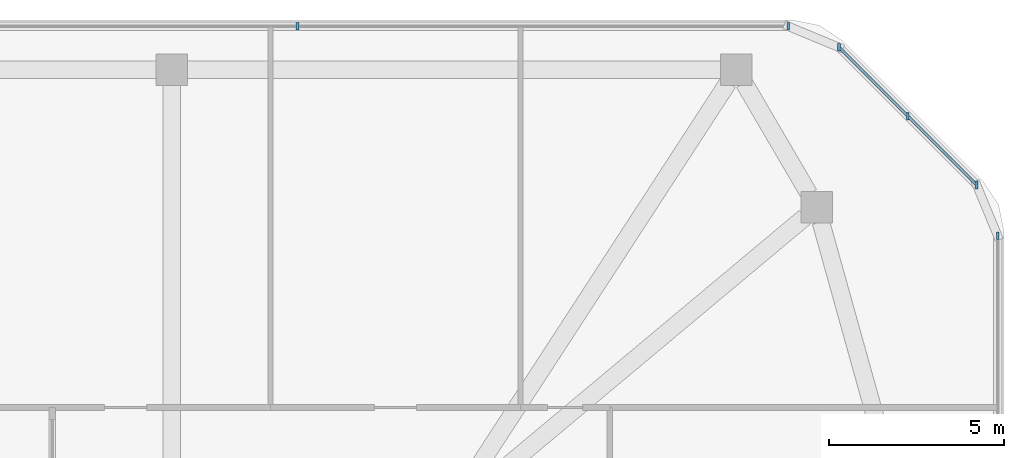
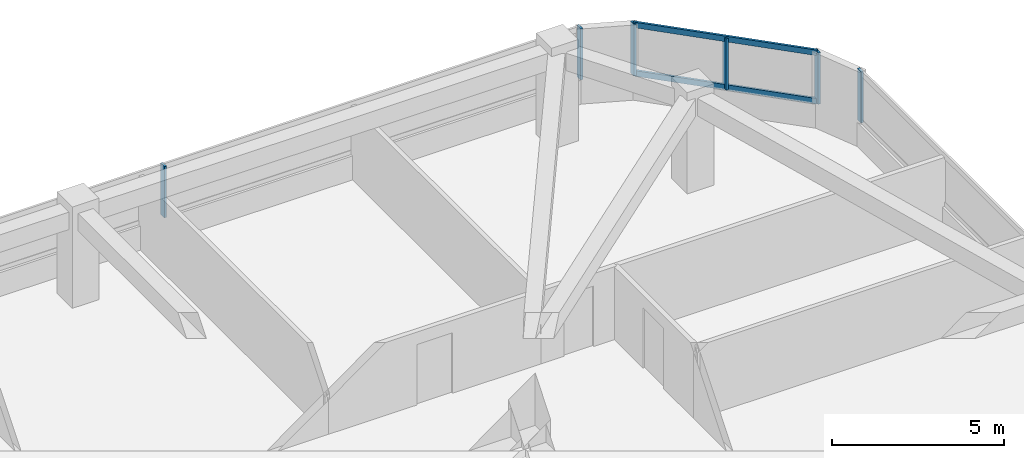
# One storey, part 6 of 13: 8 members, 3 elements without a shape of their own.
"""IFC4 building model written with IfcOpenShell, lengths in metres."""

from ifc_helpers import new_model, si_unit, derived_unit, direction, frame, origin, origin_2d, place, context, subcontext, project, spatial, rectangle, extrude, material, material_profile, profile_set, type_object, element, aggregate, save


model = new_model("IFC4")

# Units and contexts
model_context = context("Model", 3, precision=1e-05, world=origin(), true_north=direction((0.0, 1.0)))
body_context = subcontext(model_context, "Body", "Model", "MODEL_VIEW")
ifc_project = project(units=[si_unit("LENGTHUNIT", "METRE"), si_unit("AREAUNIT", "SQUARE_METRE"), si_unit("VOLUMEUNIT", "CUBIC_METRE"), si_unit("PLANEANGLEUNIT", "RADIAN"), si_unit("MASSUNIT", "GRAM", prefix="KILO"), derived_unit("THERMALTRANSMITTANCEUNIT", [(si_unit("POWERUNIT", "WATT"), 1), (si_unit("LENGTHUNIT", "METRE"), -2), (si_unit("THERMODYNAMICTEMPERATUREUNIT", "KELVIN"), -1)])], contexts=[model_context])

# Site, building, storey
site_placement = place(None, origin())
site = spatial("IfcSite", under=ifc_project, at=site_placement, CompositionType="ELEMENT")
building_placement = place(site_placement, origin())
building = spatial("IfcBuilding", under=site, at=building_placement, Name="Koralith Skygarden Medical Center", CompositionType="ELEMENT")
storey_placement = place(building_placement, frame((0.0, 0.0, 228.780029296875)))
storey = spatial("IfcBuildingStorey", under=building, at=storey_placement, Name="L59", CompositionType="ELEMENT", Elevation=228.780029296875)

# Curtain wall, member
ifc_material_1 = material(Name="Clear Laminated Glass", Category="glass")
curtain_wall_type = type_object("IfcCurtainWallType", Name="CW-5 Zone 4 Flare Biophilic Curtain Wall", PredefinedType="NOTDEFINED", material=ifc_material_1)
curtain_wall_1_placement = place(storey_placement, origin())
curtain_wall_1 = element("IfcCurtainWall", 1, at=curtain_wall_1_placement, inside=storey, type_object=curtain_wall_type, Name="Curtain Wall CW-L59-E", PredefinedType="NOTDEFINED")
ifc_material_2 = material(Name="Aluminium 6063-T6", Category="aluminium")
ifc_material_profile_1 = material_profile(ifc_material_2, rectangle(XDim=0.080078125, YDim=0.219970703125, at=origin_2d()), Name="MUL80X220")
ifc_profile_set_1 = profile_set([ifc_material_profile_1], Name="Aluminium 6063-T6")
member_type_1 = type_object("IfcMemberType", Name="CW-5 Extruded Mullion 80x220", PredefinedType="MULLION", material=ifc_profile_set_1)
member_1_placement = place(storey_placement, frame((63.9619140625, 42.544921875, 0.849853515625), z_axis=(0.0, 0.0, 1.0), x_axis=(1.0, 0.0, 0.0)))
member_1 = element("IfcMember", 2, at=member_1_placement, type_object=member_type_1, Name="CW-L59-E Mullion 4", PredefinedType="MULLION", context=body_context, shape_type="SweptSolid", body=[
    extrude(rectangle(XDim=0.080078125, YDim=0.219970703125, at=origin_2d()), origin(), (0.0, 0.0, 1.0), 1.820068359375),
])
aggregate(curtain_wall_1, [member_1])

# Curtain wall, members
curtain_wall_2_placement = place(storey_placement, origin())
curtain_wall_2 = element("IfcCurtainWall", 3, at=curtain_wall_2_placement, inside=storey, type_object=curtain_wall_type, Name="Curtain Wall CW-L59-NE", PredefinedType="NOTDEFINED")
member_2_placement = place(storey_placement, frame((63.361083984375, 43.99609375, 0.849853515625), z_axis=(0.0, 0.0, 1.0), x_axis=(1.0, 0.0, 0.0)))
member_2 = element("IfcMember", 4, at=member_2_placement, type_object=member_type_1, Name="CW-L59-NE Mullion 1", PredefinedType="MULLION", context=body_context, shape_type="SweptSolid", body=[
    extrude(rectangle(XDim=0.080078125, YDim=0.219970703125, at=origin_2d()), origin(), (0.0, 0.0, 1.0), 1.820068359375),
])
member_3_placement = place(storey_placement, frame((61.39892578125, 45.9580078125, 0.849853515625), z_axis=(0.0, 0.0, 1.0), x_axis=(1.0, 0.0, 0.0)))
member_3 = element("IfcMember", 5, at=member_3_placement, type_object=member_type_1, Name="CW-L59-NE Mullion 2", PredefinedType="MULLION", context=body_context, shape_type="SweptSolid", body=[
    extrude(rectangle(XDim=0.080078125, YDim=0.219970703125, at=origin_2d()), origin(), (0.0, 0.0, 1.0), 1.820068359375),
])
member_4_placement = place(storey_placement, frame((59.43798828125, 47.9189453125, 0.849853515625), z_axis=(0.0, 0.0, 1.0), x_axis=(1.0, 0.0, 0.0)))
member_4 = element("IfcMember", 6, at=member_4_placement, type_object=member_type_1, Name="CW-L59-NE Mullion 3", PredefinedType="MULLION", context=body_context, shape_type="SweptSolid", body=[
    extrude(rectangle(XDim=0.080078125, YDim=0.219970703125, at=origin_2d()), origin(), (0.0, 0.0, 1.0), 1.820068359375),
])

curtain_wall_3_placement = place(storey_placement, origin())
curtain_wall_3 = element("IfcCurtainWall", 7, at=curtain_wall_3_placement, inside=storey, type_object=curtain_wall_type, Name="Curtain Wall CW-L59-N", PredefinedType="NOTDEFINED")
member_5_placement = place(storey_placement, frame((57.987060546875, 48.52001953125, 0.849853515625), z_axis=(0.0, 0.0, 1.0), x_axis=(1.0, 0.0, 0.0)))
member_5 = element("IfcMember", 8, at=member_5_placement, type_object=member_type_1, Name="CW-L59-N Mullion 1", PredefinedType="MULLION", context=body_context, shape_type="SweptSolid", body=[
    extrude(rectangle(XDim=0.080078125, YDim=0.219970703125, at=origin_2d()), origin(), (0.0, 0.0, 1.0), 1.820068359375),
])
member_6_placement = place(storey_placement, frame((43.99609375, 48.52001953125, 0.849853515625), z_axis=(0.0, 0.0, 1.0), x_axis=(1.0, 0.0, 0.0)))
member_6 = element("IfcMember", 9, at=member_6_placement, type_object=member_type_1, Name="CW-L59-N Mullion 2", PredefinedType="MULLION", context=body_context, shape_type="SweptSolid", body=[
    extrude(rectangle(XDim=0.080078125, YDim=0.219970703125, at=origin_2d()), origin(), (0.0, 0.0, 1.0), 1.820068359375),
])
aggregate(curtain_wall_3, [member_5, member_6])

# Member
ifc_material_profile_2 = material_profile(ifc_material_2, rectangle(XDim=0.074951171875, YDim=0.197998046875, at=origin_2d()), Name="TRN75X198")
ifc_profile_set_2 = profile_set([ifc_material_profile_2], Name="Aluminium 6063-T6")
member_type_2 = type_object("IfcMemberType", Name="CW-5 Thermal Transom 75x198", PredefinedType="USERDEFINED", material=ifc_profile_set_2)
member_7_placement = place(storey_placement, frame((63.361083984375, 43.99609375, 0.89990234375), z_axis=(-0.707128783731, 0.707084777957, 0.0), x_axis=(-0.707084777957, -0.707128783731, 0.0)))
member_7 = element("IfcMember", 10, at=member_7_placement, type_object=member_type_2, Name="CW-L59-NE Transom 1", ObjectType="TRANSOM", PredefinedType="USERDEFINED", context=body_context, shape_type="SweptSolid", body=[
    extrude(rectangle(XDim=0.074951171875, YDim=0.197998046875, at=origin_2d()), origin(), (0.0, 0.0, 1.0), 5.5478515625),
])

member_8_placement = place(storey_placement, frame((63.361083984375, 43.99609375, 2.619873046875), z_axis=(-0.707128783731, 0.707084777957, 0.0), x_axis=(-0.707084777957, -0.707128783731, 0.0)))
member_8 = element("IfcMember", 11, at=member_8_placement, type_object=member_type_2, Name="CW-L59-NE Transom 2", ObjectType="TRANSOM", PredefinedType="USERDEFINED", context=body_context, shape_type="SweptSolid", body=[
    extrude(rectangle(XDim=0.074951171875, YDim=0.197998046875, at=origin_2d()), origin(), (0.0, 0.0, 1.0), 5.5478515625),
])

aggregate(curtain_wall_2, [member_2, member_3, member_4, member_7, member_8])

save(model, "model.ifc")
